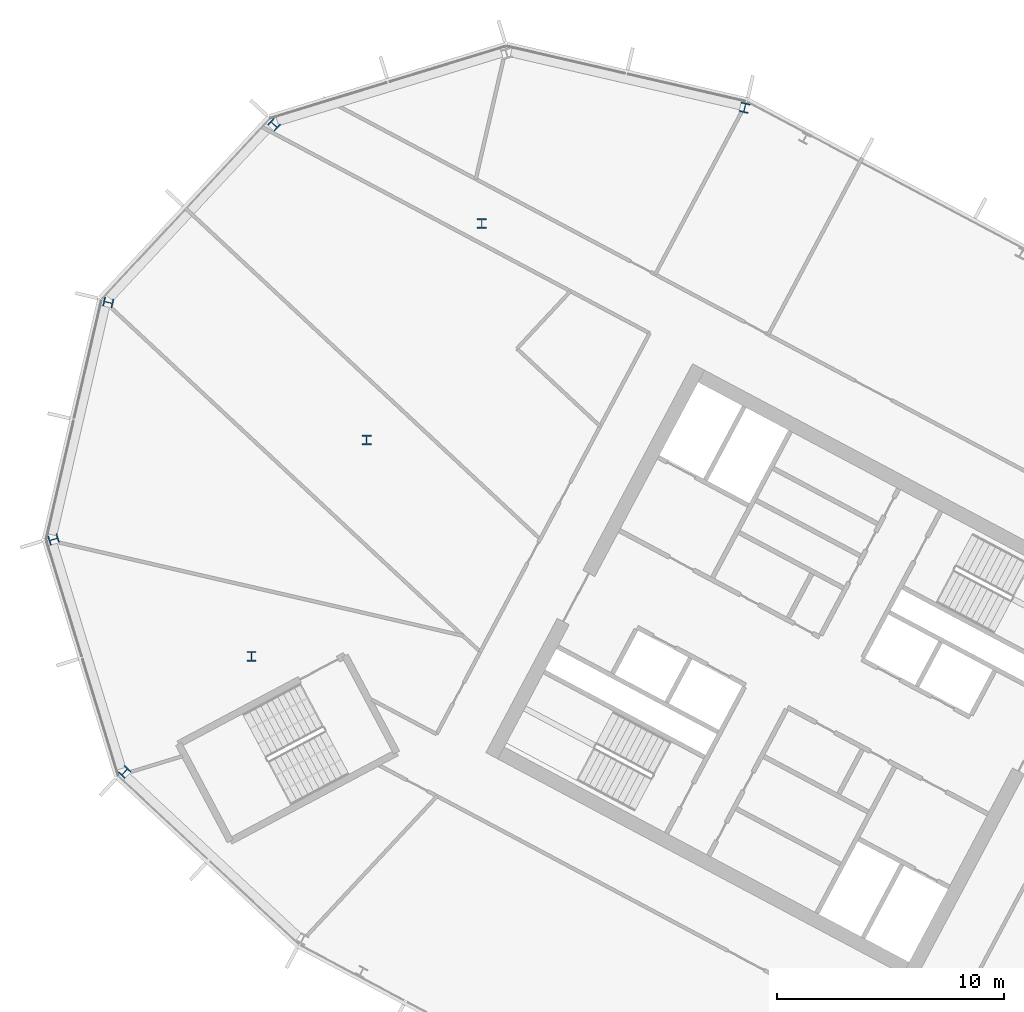
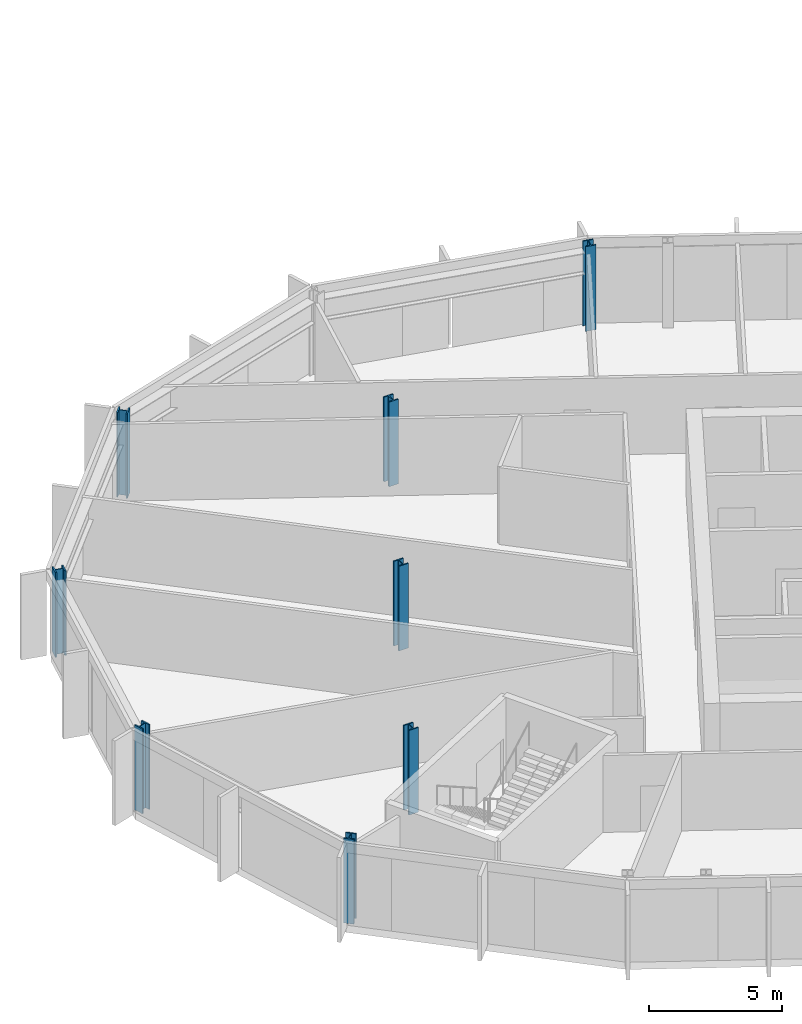
# One storey, part 3 of 26: 8 columns.
"""IFC4 building model written with IfcOpenShell, lengths in metres."""

from ifc_helpers import new_model, si_unit, direction, frame, origin, origin_2d, place, context, subcontext, project, spatial, i_section, extrude, material, material_profile, profile_set, type_object, element, save


model = new_model("IFC4")

# Units and contexts
model_context = context("Model", 3, precision=1e-05, world=origin(), true_north=direction((0.0, 1.0)))
body_context = subcontext(model_context, "Body", "Model", "MODEL_VIEW")
ifc_project = project(units=[si_unit("LENGTHUNIT", "METRE"), si_unit("AREAUNIT", "SQUARE_METRE"), si_unit("VOLUMEUNIT", "CUBIC_METRE"), si_unit("PLANEANGLEUNIT", "RADIAN"), si_unit("MASSUNIT", "GRAM", prefix="KILO")], contexts=[model_context])

# Site, building, storey
site_placement = place(None, origin())
site = spatial("IfcSite", under=ifc_project, at=site_placement, CompositionType="ELEMENT")
building_placement = place(site_placement, origin())
building = spatial("IfcBuilding", under=site, at=building_placement, Name="Cormorant Relay Tower", CompositionType="ELEMENT")
storey_placement = place(building_placement, frame((0.0, 0.0, 197.39990234375)))
storey = spatial("IfcBuildingStorey", under=building, at=storey_placement, Name="L42", CompositionType="ELEMENT", Elevation=197.39990234375)

# Columns
ifc_material = material(Name="Steel ASTM A992 (Fy 345 MPa)", Category="steel")
ifc_material_profile = material_profile(ifc_material, i_section(OverallWidth=0.41162109375, OverallDepth=0.434326171875, WebThickness=0.035888671875, FlangeThickness=0.057373046875, FilletRadius=0.01513671875, at=origin_2d()), Name="W360x463")
ifc_profile_set = profile_set([ifc_material_profile], Name="Steel ASTM A992 (Fy 345 MPa)")
column_type = type_object("IfcColumnType", Name="Column W360x463", PredefinedType="COLUMN", material=ifc_profile_set)
for number, where, z_axis, x_axis, name in (
    (1, (-57.279052734375, 10.162109375, 0.0), (0.0, 0.0, 1.0), (0.731353701619, -0.681998360062, 0.0), "Column L42-022"),
    (2, (-51.68994140625, 15.251953125, 0.0), (0.0, 0.0, 1.0), (1.0, 0.0, 0.0), "Column L42-027"),
    (3, (-60.409912109375, 20.404052734375, 0.0), (0.0, 0.0, 1.0), (0.292371704723, -0.956304755963, 0.0), "Column L42-028"),
    (4, (-46.6201171875, 24.7880859375, 0.0), (0.0, 0.0, 1.0), (1.0, 0.0, 0.0), "Column L42-031"),
    (5, (-58.0009765625, 30.840087890625, 0.0), (0.0, 0.0, 1.0), (-0.224951054344, -0.974370064785, 0.0), "Column L42-034"),
    (6, (-41.549072265625, 34.323974609375, 0.0), (0.0, 0.0, 1.0), (1.0, 0.0, 0.0), "Column L42-038"),
    (7, (-50.697021484375, 38.672119140625, 0.0), (0.0, 0.0, 1.0), (-0.681998360062, -0.731353701619, 0.0), "Column L42-042"),
    (8, (-29.968017578125, 39.4150390625, 0.0), (0.0, 0.0, 1.0), (-0.974370064785, 0.224951054344, 0.0), "Column L42-044"),
):
    element("IfcColumn", number, at=place(storey_placement, frame(where, z_axis=z_axis, x_axis=x_axis)), inside=storey, type_object=column_type, Name=name, PredefinedType="COLUMN", context=body_context, shape_type="SweptSolid", body=[
        extrude(i_section(OverallWidth=0.41162109375, OverallDepth=0.434326171875, WebThickness=0.035888671875, FlangeThickness=0.057373046875, FilletRadius=0.01513671875, at=origin_2d()), origin(), (0.0, 0.0, 1.0), 3.900146484375),
    ])

save(model, "model.ifc")
